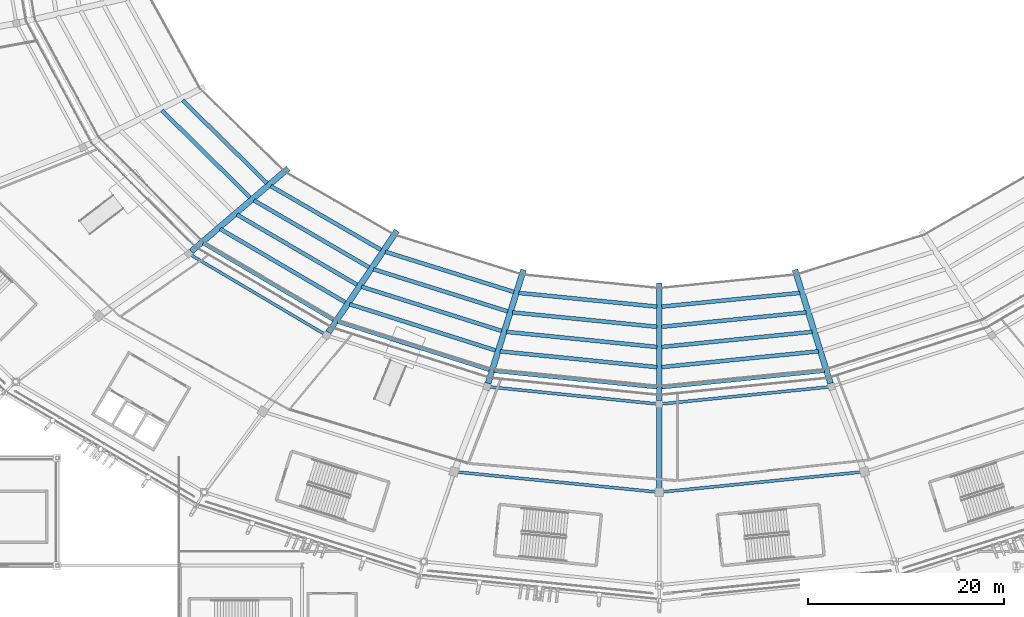
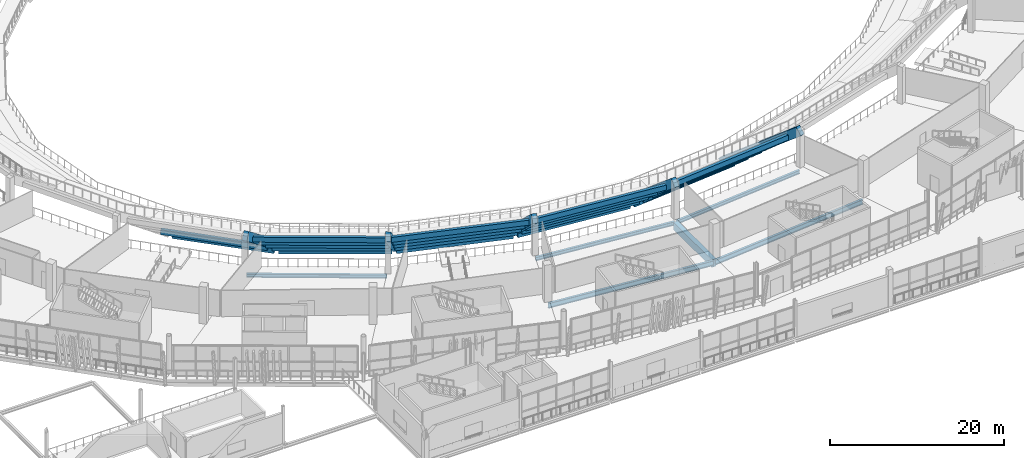
# One storey, part 38 of 178: 33 beams.
"""IFC4 building model written with IfcOpenShell, lengths in metres."""

from ifc_helpers import new_model, si_unit, direction, frame, origin, origin_2d, place, context, subcontext, project, spatial, rectangle, i_section, extrude, material, material_profile, profile_set, type_object, element, save


model = new_model("IFC4")

# Units and contexts
model_context = context("Model", 3, precision=1e-05, world=origin(), true_north=direction((0.0, 1.0)))
body_context = subcontext(model_context, "Body", "Model", "MODEL_VIEW")
ifc_project = project(units=[si_unit("LENGTHUNIT", "METRE"), si_unit("AREAUNIT", "SQUARE_METRE"), si_unit("VOLUMEUNIT", "CUBIC_METRE"), si_unit("PLANEANGLEUNIT", "RADIAN"), si_unit("MASSUNIT", "GRAM", prefix="KILO")], contexts=[model_context])

# Site, building, storey
site_placement = place(None, origin())
site = spatial("IfcSite", under=ifc_project, at=site_placement, CompositionType="ELEMENT")
building_placement = place(site_placement, origin())
building = spatial("IfcBuilding", under=site, at=building_placement, Name="Zlatoyarsky Gate Stadium", CompositionType="ELEMENT")
storey_placement = place(building_placement, frame((0.0, 0.0, 5.39990234375)))
storey = spatial("IfcBuildingStorey", under=building, at=storey_placement, Name="L01", CompositionType="ELEMENT", Elevation=5.39990234375)

# Beams
ifc_material_1 = material(Name="Concrete C40/50", Category="concrete")
ifc_material_profile_1 = material_profile(ifc_material_1, rectangle(XDim=0.39990234375, YDim=0.699951171875, at=origin_2d()), Name="RC BEAM 400X700")
ifc_profile_set_1 = profile_set([ifc_material_profile_1], Name="Concrete C40/50")
beam_type_1 = type_object("IfcBeamType", Name="CONCRETE FLOOR BEAM 400X700", PredefinedType="BEAM", material=ifc_profile_set_1)
beam_1_placement = place(storey_placement, frame((62.2998046875, 58.544921875, -4.219970703125), z_axis=(0.713236238692, -0.700923724678, 0.0), x_axis=(0.700923724678, 0.713236238692, 0.0)))
element("IfcBeam", 1, at=beam_1_placement, inside=storey, type_object=beam_type_1, Name="Lower bowl step tie beam 14.1", PredefinedType="BEAM", context=body_context, shape_type="SweptSolid", body=[
    extrude(rectangle(XDim=0.39990234375, YDim=0.699951171875, at=origin_2d()), origin(), (0.0, 0.0, 1.0), 12.07568359375),
])
beam_2_placement = place(storey_placement, frame((60.186279296875, 57.514404296875, -2.31982421875), z_axis=(0.711502534013, -0.70268353054, 0.0), x_axis=(0.70268353054, 0.711502534013, 0.0)))
element("IfcBeam", 2, at=beam_2_placement, inside=storey, type_object=beam_type_1, Name="Lower bowl step tie beam 14.2", PredefinedType="BEAM", context=body_context, shape_type="SweptSolid", body=[
    extrude(rectangle(XDim=0.39990234375, YDim=0.699951171875, at=origin_2d()), origin(), (0.0, 0.0, 1.0), 12.6513671875),
])
beam_3_placement = place(storey_placement, frame((71.307373046875, 49.7802734375, -4.219970703125), z_axis=(0.865547933929, -0.500826091644, 0.0), x_axis=(0.500826091644, 0.865547933929, 0.0)))
element("IfcBeam", 3, at=beam_3_placement, inside=storey, type_object=beam_type_1, Name="Lower bowl step tie beam 15.1", PredefinedType="BEAM", context=body_context, shape_type="SweptSolid", body=[
    extrude(rectangle(XDim=0.39990234375, YDim=0.699951171875, at=origin_2d()), origin(), (0.0, 0.0, 1.0), 13.0048828125),
])
beam_4_placement = place(storey_placement, frame((69.581787109375, 48.3232421875, -2.31982421875), z_axis=(0.864471827415, -0.502681270394, 0.0), x_axis=(0.502681270394, 0.864471827415, 0.0)))
element("IfcBeam", 4, at=beam_4_placement, inside=storey, type_object=beam_type_1, Name="Lower bowl step tie beam 15.2", PredefinedType="BEAM", context=body_context, shape_type="SweptSolid", body=[
    extrude(rectangle(XDim=0.39990234375, YDim=0.699951171875, at=origin_2d()), origin(), (0.0, 0.0, 1.0), 13.606201171875),
])
beam_5_placement = place(storey_placement, frame((67.856201171875, 46.8662109375, -0.419921875), z_axis=(0.863471478742, -0.504397665934, 0.0), x_axis=(0.504397665934, 0.863471478742, 0.0)))
element("IfcBeam", 5, at=beam_5_placement, inside=storey, type_object=beam_type_1, Name="Lower bowl step tie beam 15.3", PredefinedType="BEAM", context=body_context, shape_type="SweptSolid", body=[
    extrude(rectangle(XDim=0.39990234375, YDim=0.699951171875, at=origin_2d()), origin(), (0.0, 0.0, 1.0), 14.20751953125),
])
beam_6_placement = place(storey_placement, frame((66.130615234375, 45.4091796875, 1.47998046875), z_axis=(0.862560784117, -0.505953450136, 0.0), x_axis=(0.505953450136, 0.862560784117, 0.0)))
element("IfcBeam", 6, at=beam_6_placement, inside=storey, type_object=beam_type_1, Name="Lower bowl step tie beam 15.4", PredefinedType="BEAM", context=body_context, shape_type="SweptSolid", body=[
    extrude(rectangle(XDim=0.39990234375, YDim=0.699951171875, at=origin_2d()), origin(), (0.0, 0.0, 1.0), 14.80908203125),
])
beam_7_placement = place(storey_placement, frame((64.40478515625, 43.9521484375, 3.380126953125), z_axis=(0.861715848075, -0.507391167815, 0.0), x_axis=(0.507391167815, 0.861715848075, 0.0)))
element("IfcBeam", 7, at=beam_7_placement, inside=storey, type_object=beam_type_1, Name="Lower bowl step tie beam 15.5", PredefinedType="BEAM", context=body_context, shape_type="SweptSolid", body=[
    extrude(rectangle(XDim=0.39990234375, YDim=0.699951171875, at=origin_2d()), origin(), (0.0, 0.0, 1.0), 15.410888671875),
])
beam_8_placement = place(storey_placement, frame((83.0185546875, 43.0673828125, -4.219970703125), z_axis=(0.954521007749, -0.298143666318, 0.0), x_axis=(0.298143666318, 0.954521007749, 0.0)))
element("IfcBeam", 8, at=beam_8_placement, inside=storey, type_object=beam_type_1, Name="Lower bowl step tie beam 16.1", PredefinedType="BEAM", context=body_context, shape_type="SweptSolid", body=[
    extrude(rectangle(XDim=0.39990234375, YDim=0.699951171875, at=origin_2d()), origin(), (0.0, 0.0, 1.0), 13.760986328125),
])
beam_9_placement = place(storey_placement, frame((81.798583984375, 41.282958984375, -2.31982421875), z_axis=(0.954103512777, -0.299477022334, 0.0), x_axis=(0.299477022334, 0.954103512777, 0.0)))
element("IfcBeam", 9, at=beam_9_placement, inside=storey, type_object=beam_type_1, Name="Lower bowl step tie beam 16.2", PredefinedType="BEAM", context=body_context, shape_type="SweptSolid", body=[
    extrude(rectangle(XDim=0.39990234375, YDim=0.699951171875, at=origin_2d()), origin(), (0.0, 0.0, 1.0), 14.3837890625),
])
beam_10_placement = place(storey_placement, frame((80.578369140625, 39.498779296875, -0.419921875), z_axis=(0.953712640606, -0.300719469187, 0.0), x_axis=(0.300719469187, 0.953712640606, 0.0)))
element("IfcBeam", 10, at=beam_10_placement, inside=storey, type_object=beam_type_1, Name="Lower bowl step tie beam 16.3", PredefinedType="BEAM", context=body_context, shape_type="SweptSolid", body=[
    extrude(rectangle(XDim=0.39990234375, YDim=0.699951171875, at=origin_2d()), origin(), (0.0, 0.0, 1.0), 15.007080078125),
])
beam_11_placement = place(storey_placement, frame((79.3583984375, 37.71435546875, 1.47998046875), z_axis=(0.953354587106, -0.301852664796, 0.0), x_axis=(0.301852664796, 0.953354587106, 0.0)))
element("IfcBeam", 11, at=beam_11_placement, inside=storey, type_object=beam_type_1, Name="Lower bowl step tie beam 16.4", PredefinedType="BEAM", context=body_context, shape_type="SweptSolid", body=[
    extrude(rectangle(XDim=0.39990234375, YDim=0.699951171875, at=origin_2d()), origin(), (0.0, 0.0, 1.0), 15.630126953125),
])
beam_12_placement = place(storey_placement, frame((78.13818359375, 35.93017578125, 3.380126953125), z_axis=(0.953014117484, -0.30292588512, 0.0), x_axis=(0.30292588512, 0.953014117484, 0.0)))
element("IfcBeam", 12, at=beam_12_placement, inside=storey, type_object=beam_type_1, Name="Lower bowl step tie beam 16.5", PredefinedType="BEAM", context=body_context, shape_type="SweptSolid", body=[
    extrude(rectangle(XDim=0.39990234375, YDim=0.699951171875, at=origin_2d()), origin(), (0.0, 0.0, 1.0), 16.25341796875),
])
beam_13_placement = place(storey_placement, frame((96.64111328125, 38.865478515625, -4.219970703125), z_axis=(0.995107685463, -0.098796226303, 0.0), x_axis=(0.098796226303, 0.995107685463, 0.0)))
element("IfcBeam", 13, at=beam_13_placement, inside=storey, type_object=beam_type_1, Name="Lower bowl step tie beam 17.1", PredefinedType="BEAM", context=body_context, shape_type="SweptSolid", body=[
    extrude(rectangle(XDim=0.39990234375, YDim=0.699951171875, at=origin_2d()), origin(), (0.0, 0.0, 1.0), 14.179443359375),
])
beam_14_placement = place(storey_placement, frame((96.009521484375, 36.87548828125, -2.31982421875), z_axis=(0.995060332321, -0.09927202547, 0.0), x_axis=(0.09927202547, 0.995060332321, 0.0)))
element("IfcBeam", 14, at=beam_14_placement, inside=storey, type_object=beam_type_1, Name="Lower bowl step tie beam 17.2", PredefinedType="BEAM", context=body_context, shape_type="SweptSolid", body=[
    extrude(rectangle(XDim=0.39990234375, YDim=0.699951171875, at=origin_2d()), origin(), (0.0, 0.0, 1.0), 14.81494140625),
])
beam_15_placement = place(storey_placement, frame((95.3779296875, 34.8857421875, -0.419921875), z_axis=(0.995015106005, -0.099724314091, 0.0), x_axis=(0.099724314091, 0.995015106005, 0.0)))
element("IfcBeam", 15, at=beam_15_placement, inside=storey, type_object=beam_type_1, Name="Lower bowl step tie beam 17.3", PredefinedType="BEAM", context=body_context, shape_type="SweptSolid", body=[
    extrude(rectangle(XDim=0.39990234375, YDim=0.699951171875, at=origin_2d()), origin(), (0.0, 0.0, 1.0), 15.4501953125),
])
beam_16_placement = place(storey_placement, frame((94.746337890625, 32.895751953125, 1.47998046875), z_axis=(0.994973270957, -0.100140851208, 0.0), x_axis=(0.100140851208, 0.994973270957, 0.0)))
element("IfcBeam", 16, at=beam_16_placement, inside=storey, type_object=beam_type_1, Name="Lower bowl step tie beam 17.4", PredefinedType="BEAM", context=body_context, shape_type="SweptSolid", body=[
    extrude(rectangle(XDim=0.39990234375, YDim=0.699951171875, at=origin_2d()), origin(), (0.0, 0.0, 1.0), 16.085693359375),
])
beam_17_placement = place(storey_placement, frame((94.114990234375, 30.906005859375, 3.380126953125), z_axis=(0.994934312971, -0.100527174794, 0.0), x_axis=(0.100527174794, 0.994934312971, 0.0)))
element("IfcBeam", 17, at=beam_17_placement, inside=storey, type_object=beam_type_1, Name="Lower bowl step tie beam 17.5", PredefinedType="BEAM", context=body_context, shape_type="SweptSolid", body=[
    extrude(rectangle(XDim=0.39990234375, YDim=0.699951171875, at=origin_2d()), origin(), (0.0, 0.0, 1.0), 16.720947265625),
])
beam_18_placement = place(storey_placement, frame((111.248779296875, 37.464599609375, -4.219970703125), z_axis=(0.995107685463, 0.098796226303, 0.0), x_axis=(-0.098796226303, 0.995107685463, 0.0)))
element("IfcBeam", 18, at=beam_18_placement, inside=storey, type_object=beam_type_1, Name="Lower bowl step tie beam 18.1", PredefinedType="BEAM", context=body_context, shape_type="SweptSolid", body=[
    extrude(rectangle(XDim=0.39990234375, YDim=0.699951171875, at=origin_2d()), origin(), (0.0, 0.0, 1.0), 14.179443359375),
])
beam_19_placement = place(storey_placement, frame((111.248779296875, 35.40478515625, -2.31982421875), z_axis=(0.995060332321, 0.09927202547, 0.0), x_axis=(-0.09927202547, 0.995060332321, 0.0)))
element("IfcBeam", 19, at=beam_19_placement, inside=storey, type_object=beam_type_1, Name="Lower bowl step tie beam 18.2", PredefinedType="BEAM", context=body_context, shape_type="SweptSolid", body=[
    extrude(rectangle(XDim=0.39990234375, YDim=0.699951171875, at=origin_2d()), origin(), (0.0, 0.0, 1.0), 14.81494140625),
])
beam_20_placement = place(storey_placement, frame((111.248779296875, 33.344970703125, -0.419921875), z_axis=(0.995015106005, 0.099724314091, 0.0), x_axis=(-0.099724314091, 0.995015106005, 0.0)))
element("IfcBeam", 20, at=beam_20_placement, inside=storey, type_object=beam_type_1, Name="Lower bowl step tie beam 18.3", PredefinedType="BEAM", context=body_context, shape_type="SweptSolid", body=[
    extrude(rectangle(XDim=0.39990234375, YDim=0.699951171875, at=origin_2d()), origin(), (0.0, 0.0, 1.0), 15.4501953125),
])
beam_21_placement = place(storey_placement, frame((111.248779296875, 31.284912109375, 1.47998046875), z_axis=(0.994973270957, 0.100140851208, 0.0), x_axis=(-0.100140851208, 0.994973270957, 0.0)))
element("IfcBeam", 21, at=beam_21_placement, inside=storey, type_object=beam_type_1, Name="Lower bowl step tie beam 18.4", PredefinedType="BEAM", context=body_context, shape_type="SweptSolid", body=[
    extrude(rectangle(XDim=0.39990234375, YDim=0.699951171875, at=origin_2d()), origin(), (0.0, 0.0, 1.0), 16.085693359375),
])
beam_22_placement = place(storey_placement, frame((111.248779296875, 29.22509765625, 3.380126953125), z_axis=(0.994934312971, 0.100527174794, 0.0), x_axis=(-0.100527174794, 0.994934312971, 0.0)))
element("IfcBeam", 22, at=beam_22_placement, inside=storey, type_object=beam_type_1, Name="Lower bowl step tie beam 18.5", PredefinedType="BEAM", context=body_context, shape_type="SweptSolid", body=[
    extrude(rectangle(XDim=0.39990234375, YDim=0.699951171875, at=origin_2d()), origin(), (0.0, 0.0, 1.0), 16.720947265625),
])
ifc_material_profile_2 = material_profile(ifc_material_1, rectangle(XDim=0.60009765625, YDim=1.050048828125, at=origin_2d()), Name="RC GIRDER 600X1050")
ifc_profile_set_2 = profile_set([ifc_material_profile_2], Name="Concrete C40/50")
beam_type_2 = type_object("IfcBeamType", Name="CONCRETE PRIMARY GIRDER 600X1050", PredefinedType="T_BEAM", material=ifc_profile_set_2)
beam_23_placement = place(storey_placement, frame((111.0, 27.3798828125, -0.98486328125), z_axis=(0.0, -1.0, 0.0), x_axis=(1.0, 0.0, 0.0)))
element("IfcBeam", 23, at=beam_23_placement, inside=storey, type_object=beam_type_2, Name="Beam G-RC105 BM-L01-RAB-18", PredefinedType="T_BEAM", context=body_context, shape_type="SweptSolid", body=[
    extrude(rectangle(XDim=0.60009765625, YDim=1.050048828125, at=origin_2d()), origin(), (0.0, 0.0, 1.0), 8.759765625),
])
ifc_material_2 = material(Name="Precast concrete C40/50", Category="concrete")
ifc_material_profile_3 = material_profile(ifc_material_2, rectangle(XDim=0.60009765625, YDim=1.14990234375, at=origin_2d()), Name="PC RAKER 600X1150")
ifc_profile_set_3 = profile_set([ifc_material_profile_3], Name="Precast concrete C40/50")
beam_type_3 = type_object("IfcBeamType", Name="PRECAST LOWER BOWL RAKER 600X1150", PredefinedType="USERDEFINED", material=ifc_profile_set_3)
beam_24_placement = place(storey_placement, frame((72.816162109375, 51.3623046875, -5.14990234375), z_axis=(-0.600227386736, -0.514489075994, 0.612395358323), x_axis=(0.650797541589, -0.759251315351, 0.0)))
element("IfcBeam", 24, at=beam_24_placement, inside=storey, type_object=beam_type_3, Name="Lower bowl radial raker 15", ObjectType="RAKER", PredefinedType="USERDEFINED", context=body_context, shape_type="SweptSolid", body=[
    extrude(rectangle(XDim=0.60009765625, YDim=1.14990234375, at=origin_2d()), origin(), (0.0, 0.0, 1.0), 16.49267578125),
])
beam_25_placement = place(storey_placement, frame((84.0, 44.926025390625, -5.14990234375), z_axis=(-0.43494827472, -0.645732533831, 0.62757429287), x_axis=(0.829396945455, -0.558659741586, 0.0)))
element("IfcBeam", 25, at=beam_25_placement, inside=storey, type_object=beam_type_3, Name="Lower bowl radial raker 16", ObjectType="RAKER", PredefinedType="USERDEFINED", context=body_context, shape_type="SweptSolid", body=[
    extrude(rectangle(XDim=0.60009765625, YDim=1.14990234375, at=origin_2d()), origin(), (0.0, 0.0, 1.0), 16.09375),
])
beam_26_placement = place(storey_placement, frame((97.023681640625, 40.8798828125, -5.14990234375), z_axis=(-0.229389770586, -0.733827783715, 0.639434998258), x_axis=(0.954454576896, -0.298356264627, 0.0)))
element("IfcBeam", 26, at=beam_26_placement, inside=storey, type_object=beam_type_3, Name="Lower bowl radial raker 17", ObjectType="RAKER", PredefinedType="USERDEFINED", context=body_context, shape_type="SweptSolid", body=[
    extrude(rectangle(XDim=0.60009765625, YDim=1.14990234375, at=origin_2d()), origin(), (0.0, 0.0, 1.0), 15.79541015625),
])
beam_27_placement = place(storey_placement, frame((111.0, 39.5, -5.14990234375), z_axis=(0.0, -0.76507343808, 0.643943036568), x_axis=(1.0, 0.0, 0.0)))
element("IfcBeam", 27, at=beam_27_placement, inside=storey, type_object=beam_type_3, Name="Lower bowl radial raker 18", ObjectType="RAKER", PredefinedType="USERDEFINED", context=body_context, shape_type="SweptSolid", body=[
    extrude(rectangle(XDim=0.60009765625, YDim=1.14990234375, at=origin_2d()), origin(), (0.0, 0.0, 1.0), 15.684814453125),
])
beam_28_placement = place(storey_placement, frame((124.976318359375, 40.8798828125, -5.14990234375), z_axis=(0.229389770586, -0.733827783715, 0.639434998258), x_axis=(0.954454576896, 0.298356264627, 0.0)))
element("IfcBeam", 28, at=beam_28_placement, inside=storey, type_object=beam_type_3, Name="Lower bowl radial raker 19", ObjectType="RAKER", PredefinedType="USERDEFINED", context=body_context, shape_type="SweptSolid", body=[
    extrude(rectangle(XDim=0.60009765625, YDim=1.14990234375, at=origin_2d()), origin(), (0.0, 0.0, 1.0), 15.79541015625),
])
ifc_material_3 = material(Name="Steel S355", Category="steel")
ifc_material_profile_4 = material_profile(ifc_material_3, i_section(OverallWidth=0.300048828125, OverallDepth=0.5, WebThickness=0.014404296875, FlangeThickness=0.028076171875, FilletRadius=0.027099609375, at=origin_2d()), Name="HEB 500")
ifc_profile_set_4 = profile_set([ifc_material_profile_4], Name="Steel S355")
beam_type_4 = type_object("IfcBeamType", Name="STEEL PRIMARY GIRDER HEB 500", PredefinedType="BEAM", material=ifc_profile_set_4)
beam_29_placement = place(storey_placement, frame((63.02001953125, 42.815673828125, -0.5498046875), z_axis=(0.860360371321, -0.50968620882, 0.0), x_axis=(0.50968620882, 0.860360371321, 0.0)))
element("IfcBeam", 29, at=beam_29_placement, inside=storey, type_object=beam_type_4, Name="Beam G-HEB500 BM-L01-CRA-15", PredefinedType="BEAM", context=body_context, shape_type="SweptSolid", body=[
    extrude(i_section(OverallWidth=0.300048828125, OverallDepth=0.5, WebThickness=0.014404296875, FlangeThickness=0.028076171875, FilletRadius=0.027099609375, at=origin_2d()), origin(), (0.0, 0.0, 1.0), 16.12890625),
])
for number, where, z_axis, x_axis, name in (
    (30, (93.519775390625, 29.27685546875, -0.7099609375), (0.994873800639, -0.101124283941, 0.0), (0.101124283941, 0.994873800639, 0.0), "Beam G-HEB500 BM-L01-CRA-17"),
    (31, (111.119384765625, 27.51220703125, -0.7099609375), (0.994873800639, 0.101124283941, 0.0), (-0.101124283941, 0.994873800639, 0.0), "Beam G-HEB500 BM-L01-CRA-18"),
):
    element("IfcBeam", number, at=place(storey_placement, frame(where, z_axis=z_axis, x_axis=x_axis)), inside=storey, type_object=beam_type_4, Name=name, PredefinedType="BEAM", context=body_context, shape_type="SweptSolid", body=[
        extrude(i_section(OverallWidth=0.300048828125, OverallDepth=0.5, WebThickness=0.014404296875, FlangeThickness=0.028076171875, FilletRadius=0.027099609375, at=origin_2d()), origin(), (0.0, 0.0, 1.0), 17.4501953125),
    ])
ifc_material_profile_5 = material_profile(ifc_material_3, i_section(OverallWidth=0.300048828125, OverallDepth=0.699951171875, WebThickness=0.01708984375, FlangeThickness=0.031982421875, FilletRadius=0.027099609375, at=origin_2d()), Name="HEB 700")
ifc_profile_set_5 = profile_set([ifc_material_profile_5], Name="Steel S355")
beam_type_5 = type_object("IfcBeamType", Name="STEEL PRIMARY GIRDER HEB 700", PredefinedType="BEAM", material=ifc_profile_set_5)
for number, where, z_axis, x_axis, name in (
    (32, (90.155029296875, 20.583740234375, -0.809814453125), (0.995040903182, -0.099466582298, 0.0), (0.099466582298, 0.995040903182, 0.0), "Beam G-HEB700 BM-L01-CRB-17"),
    (33, (111.119384765625, 18.511962890625, -0.809814453125), (0.995040903182, 0.099466582298, 0.0), (-0.099466582298, 0.995040903182, 0.0), "Beam G-HEB700 BM-L01-CRB-18"),
):
    element("IfcBeam", number, at=place(storey_placement, frame(where, z_axis=z_axis, x_axis=x_axis)), inside=storey, type_object=beam_type_5, Name=name, PredefinedType="BEAM", context=body_context, shape_type="SweptSolid", body=[
        extrude(i_section(OverallWidth=0.300048828125, OverallDepth=0.699951171875, WebThickness=0.01708984375, FlangeThickness=0.031982421875, FilletRadius=0.027099609375, at=origin_2d()), origin(), (0.0, 0.0, 1.0), 20.828857421875),
    ])

save(model, "model.ifc")
